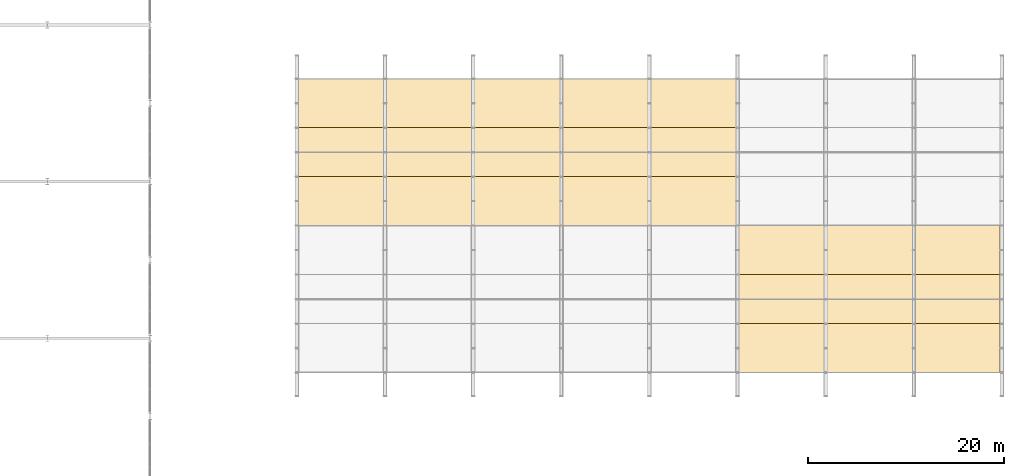
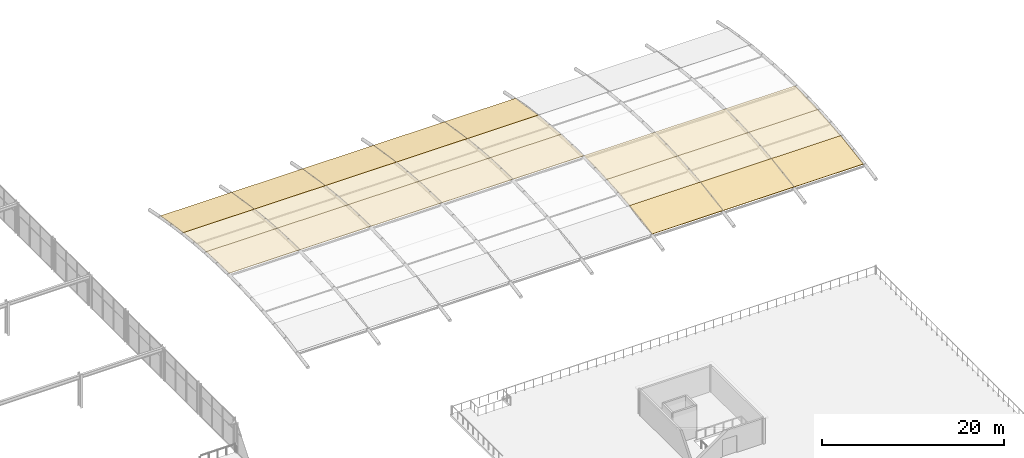
# One storey, part 102 of 105: 24 coverings.
"""IFC4 building model written with IfcOpenShell, lengths in metres."""

from ifc_helpers import new_model, si_unit, direction, frame, origin, place, context, subcontext, project, spatial, polyline, outline, extrude, material, layer, layer_set, type_object, element, save


model = new_model("IFC4")

# Units and contexts
model_context = context("Model", 3, precision=1e-05, world=origin(), true_north=direction((0.0, 1.0)))
body_context = subcontext(model_context, "Body", "Model", "MODEL_VIEW")
ifc_project = project(units=[si_unit("LENGTHUNIT", "METRE"), si_unit("AREAUNIT", "SQUARE_METRE"), si_unit("VOLUMEUNIT", "CUBIC_METRE"), si_unit("PLANEANGLEUNIT", "RADIAN"), si_unit("MASSUNIT", "GRAM", prefix="KILO")], contexts=[model_context])

# Site, building, storey
site_placement = place(None, origin())
site = spatial("IfcSite", under=ifc_project, at=site_placement, CompositionType="ELEMENT")
building_placement = place(site_placement, origin())
building = spatial("IfcBuilding", under=site, at=building_placement, Name="Marlcrest Central Station", CompositionType="ELEMENT")
storey_placement = place(building_placement, frame((0.0, 0.0, 15.0)))
storey = spatial("IfcBuildingStorey", under=building, at=storey_placement, Name="L03", CompositionType="ELEMENT", Elevation=15.0)

# Coverings
ifc_material_1 = material(Name="Standing-seam marine-coated aluminium roofing", Category="aluminium")
ifc_layer_1 = layer(ifc_material_1, 0.06494140625, Name="CV-RF2")
ifc_layer_set_1 = layer_set([ifc_layer_1], Name="Standing-seam marine-coated aluminium roofing")
covering_type_1 = type_object("IfcCoveringType", Name="CV-RF2", PredefinedType="ROOFING", material=ifc_layer_set_1)
for number, where, z_axis, x_axis, name in (
    (1, (144.0, 76.0, 1.37939453125), (0.0, 0.153293462578, 0.98818070935), (1.0, 0.0, 0.0), "cov-shed-0126"),
    (2, (153.0, 76.0, 1.37939453125), (0.0, 0.153293462578, 0.98818070935), (1.0, 0.0, 0.0), "cov-shed-0140"),
    (3, (162.0, 76.0, 1.37939453125), (0.0, 0.153293462578, 0.98818070935), (1.0, 0.0, 0.0), "cov-shed-0154"),
    (4, (171.0, 76.0, 1.37939453125), (0.0, 0.153293462578, 0.98818070935), (1.0, 0.0, 0.0), "cov-shed-0168"),
    (5, (180.0, 76.0, 1.37939453125), (0.0, 0.153293462578, 0.98818070935), (1.0, 0.0, 0.0), "cov-shed-0182"),
    (6, (189.0, 51.0, 0.603759765625), (0.0, -0.153293462578, 0.98818070935), (1.0, 0.0, 0.0), "cov-shed-0191"),
    (7, (198.0, 51.0, 0.603759765625), (0.0, -0.153293462578, 0.98818070935), (1.0, 0.0, 0.0), "cov-shed-0205"),
):
    element("IfcCovering", number, at=place(storey_placement, frame(where, z_axis=z_axis, x_axis=x_axis)), inside=storey, type_object=covering_type_1, Name=name, PredefinedType="ROOFING", context=body_context, shape_type="SweptSolid", body=[
        extrude(outline(polyline([(0.0, 0.0), (9.0, 0.0), (9.0, 5.059803285666958), (0.0, 5.059803285666958), (0.0, 0.0)])), origin(), (0.0, 0.0, -1.0), 0.06494140625),
    ])
covering_1_placement = place(storey_placement, frame((207.0, 51.0, 0.603759765625), z_axis=(0.0, -0.153293462578, 0.98818070935), x_axis=(1.0, 0.0, 0.0)))
element("IfcCovering", 8, at=covering_1_placement, inside=storey, type_object=covering_type_1, Name="cov-shed-0219", PredefinedType="ROOFING", context=body_context, shape_type="SweptSolid", body=[
    extrude(outline(polyline([(0.0, 0.0), (8.780029296875, 0.0), (8.780029296875, 5.059803285666958), (0.0, 5.059803285666958), (0.0, 0.0)])), origin(), (0.0, 0.0, -1.0), 0.06494140625),
])
ifc_material_2 = material(Name="Translucent GRP barrel crown roof panel")
ifc_layer_2 = layer(ifc_material_2, 0.054931640625, Name="CV-SK1")
ifc_layer_set_2 = layer_set([ifc_layer_2], Name="Translucent GRP barrel crown roof panel")
covering_type_2 = type_object("IfcCoveringType", Name="CV-SK1", PredefinedType="ROOFING", material=ifc_layer_set_2)
covering_2_placement = place(storey_placement, frame((144.0, 66.0, 2.0), z_axis=(0.0, 0.030990966165, 0.999519664647), x_axis=(1.0, 0.0, 0.0)))
element("IfcCovering", 9, at=covering_2_placement, inside=storey, type_object=covering_type_2, Name="cov-shed-0124", PredefinedType="ROOFING", context=body_context, shape_type="SweptSolid", body=[
    extrude(outline(polyline([(0.0, 0.0), (9.0, 0.0), (9.0, 5.0024028309293085), (0.0, 5.0024028309293085), (0.0, 0.0)])), origin(), (0.0, 0.0, -1.0), 0.054931640625),
])
covering_3_placement = place(storey_placement, frame((144.0, 71.0, 1.844970703125), z_axis=(0.0, 0.092714165239, 0.995692765648), x_axis=(1.0, 0.0, 0.0)))
element("IfcCovering", 10, at=covering_3_placement, inside=storey, type_object=covering_type_2, Name="cov-shed-0125", PredefinedType="ROOFING", context=body_context, shape_type="SweptSolid", body=[
    extrude(outline(polyline([(0.0, 0.0), (9.0, 0.0), (9.0, 5.0216293343712435), (0.0, 5.0216293343712435), (0.0, 0.0)])), origin(), (0.0, 0.0, -1.0), 0.054931640625),
])
covering_4_placement = place(storey_placement, frame((153.0, 66.0, 2.0), z_axis=(0.0, 0.030990966165, 0.999519664647), x_axis=(1.0, 0.0, 0.0)))
element("IfcCovering", 11, at=covering_4_placement, inside=storey, type_object=covering_type_2, Name="cov-shed-0138", PredefinedType="ROOFING", context=body_context, shape_type="SweptSolid", body=[
    extrude(outline(polyline([(0.0, 0.0), (9.0, 0.0), (9.0, 5.0024028309293085), (0.0, 5.0024028309293085), (0.0, 0.0)])), origin(), (0.0, 0.0, -1.0), 0.054931640625),
])
covering_5_placement = place(storey_placement, frame((153.0, 71.0, 1.844970703125), z_axis=(0.0, 0.092714165239, 0.995692765648), x_axis=(1.0, 0.0, 0.0)))
element("IfcCovering", 12, at=covering_5_placement, inside=storey, type_object=covering_type_2, Name="cov-shed-0139", PredefinedType="ROOFING", context=body_context, shape_type="SweptSolid", body=[
    extrude(outline(polyline([(0.0, 0.0), (9.0, 0.0), (9.0, 5.0216293343712435), (0.0, 5.0216293343712435), (0.0, 0.0)])), origin(), (0.0, 0.0, -1.0), 0.054931640625),
])
covering_6_placement = place(storey_placement, frame((162.0, 66.0, 2.0), z_axis=(0.0, 0.030990966165, 0.999519664647), x_axis=(1.0, 0.0, 0.0)))
element("IfcCovering", 13, at=covering_6_placement, inside=storey, type_object=covering_type_2, Name="cov-shed-0152", PredefinedType="ROOFING", context=body_context, shape_type="SweptSolid", body=[
    extrude(outline(polyline([(0.0, 0.0), (9.0, 0.0), (9.0, 5.0024028309293085), (0.0, 5.0024028309293085), (0.0, 0.0)])), origin(), (0.0, 0.0, -1.0), 0.054931640625),
])
covering_7_placement = place(storey_placement, frame((162.0, 71.0, 1.844970703125), z_axis=(0.0, 0.092714165239, 0.995692765648), x_axis=(1.0, 0.0, 0.0)))
element("IfcCovering", 14, at=covering_7_placement, inside=storey, type_object=covering_type_2, Name="cov-shed-0153", PredefinedType="ROOFING", context=body_context, shape_type="SweptSolid", body=[
    extrude(outline(polyline([(0.0, 0.0), (9.0, 0.0), (9.0, 5.0216293343712435), (0.0, 5.0216293343712435), (0.0, 0.0)])), origin(), (0.0, 0.0, -1.0), 0.054931640625),
])
covering_8_placement = place(storey_placement, frame((171.0, 66.0, 2.0), z_axis=(0.0, 0.030990966165, 0.999519664647), x_axis=(1.0, 0.0, 0.0)))
element("IfcCovering", 15, at=covering_8_placement, inside=storey, type_object=covering_type_2, Name="cov-shed-0166", PredefinedType="ROOFING", context=body_context, shape_type="SweptSolid", body=[
    extrude(outline(polyline([(0.0, 0.0), (9.0, 0.0), (9.0, 5.0024028309293085), (0.0, 5.0024028309293085), (0.0, 0.0)])), origin(), (0.0, 0.0, -1.0), 0.054931640625),
])
covering_9_placement = place(storey_placement, frame((171.0, 71.0, 1.844970703125), z_axis=(0.0, 0.092714165239, 0.995692765648), x_axis=(1.0, 0.0, 0.0)))
element("IfcCovering", 16, at=covering_9_placement, inside=storey, type_object=covering_type_2, Name="cov-shed-0167", PredefinedType="ROOFING", context=body_context, shape_type="SweptSolid", body=[
    extrude(outline(polyline([(0.0, 0.0), (9.0, 0.0), (9.0, 5.0216293343712435), (0.0, 5.0216293343712435), (0.0, 0.0)])), origin(), (0.0, 0.0, -1.0), 0.054931640625),
])
covering_10_placement = place(storey_placement, frame((180.0, 66.0, 2.0), z_axis=(0.0, 0.030990966165, 0.999519664647), x_axis=(1.0, 0.0, 0.0)))
element("IfcCovering", 17, at=covering_10_placement, inside=storey, type_object=covering_type_2, Name="cov-shed-0180", PredefinedType="ROOFING", context=body_context, shape_type="SweptSolid", body=[
    extrude(outline(polyline([(0.0, 0.0), (9.0, 0.0), (9.0, 5.0024028309293085), (0.0, 5.0024028309293085), (0.0, 0.0)])), origin(), (0.0, 0.0, -1.0), 0.054931640625),
])
for number, where, z_axis, x_axis, name in (
    (18, (180.0, 71.0, 1.844970703125), (0.0, 0.092714165239, 0.995692765648), (1.0, 0.0, 0.0), "cov-shed-0181"),
    (19, (189.0, 56.0, 1.37939453125), (0.0, -0.092714165239, 0.995692765648), (1.0, 0.0, 0.0), "cov-shed-0192"),
):
    element("IfcCovering", number, at=place(storey_placement, frame(where, z_axis=z_axis, x_axis=x_axis)), inside=storey, type_object=covering_type_2, Name=name, PredefinedType="ROOFING", context=body_context, shape_type="SweptSolid", body=[
        extrude(outline(polyline([(0.0, 0.0), (9.0, 0.0), (9.0, 5.0216293343712435), (0.0, 5.0216293343712435), (0.0, 0.0)])), origin(), (0.0, 0.0, -1.0), 0.054931640625),
    ])
covering_11_placement = place(storey_placement, frame((189.0, 61.0, 1.844970703125), z_axis=(0.0, -0.030990966165, 0.999519664647), x_axis=(1.0, 0.0, 0.0)))
element("IfcCovering", 20, at=covering_11_placement, inside=storey, type_object=covering_type_2, Name="cov-shed-0193", PredefinedType="ROOFING", context=body_context, shape_type="SweptSolid", body=[
    extrude(outline(polyline([(0.0, 0.0), (9.0, 0.0), (9.0, 5.0024028309293085), (0.0, 5.0024028309293085), (0.0, 0.0)])), origin(), (0.0, 0.0, -1.0), 0.054931640625),
])
covering_12_placement = place(storey_placement, frame((198.0, 56.0, 1.37939453125), z_axis=(0.0, -0.092714165239, 0.995692765648), x_axis=(1.0, 0.0, 0.0)))
element("IfcCovering", 21, at=covering_12_placement, inside=storey, type_object=covering_type_2, Name="cov-shed-0206", PredefinedType="ROOFING", context=body_context, shape_type="SweptSolid", body=[
    extrude(outline(polyline([(0.0, 0.0), (9.0, 0.0), (9.0, 5.0216293343712435), (0.0, 5.0216293343712435), (0.0, 0.0)])), origin(), (0.0, 0.0, -1.0), 0.054931640625),
])
covering_13_placement = place(storey_placement, frame((198.0, 61.0, 1.844970703125), z_axis=(0.0, -0.030990966165, 0.999519664647), x_axis=(1.0, 0.0, 0.0)))
element("IfcCovering", 22, at=covering_13_placement, inside=storey, type_object=covering_type_2, Name="cov-shed-0207", PredefinedType="ROOFING", context=body_context, shape_type="SweptSolid", body=[
    extrude(outline(polyline([(0.0, 0.0), (9.0, 0.0), (9.0, 5.0024028309293085), (0.0, 5.0024028309293085), (0.0, 0.0)])), origin(), (0.0, 0.0, -1.0), 0.054931640625),
])
covering_14_placement = place(storey_placement, frame((207.0, 56.0, 1.37939453125), z_axis=(0.0, -0.092714165239, 0.995692765648), x_axis=(1.0, 0.0, 0.0)))
element("IfcCovering", 23, at=covering_14_placement, inside=storey, type_object=covering_type_2, Name="cov-shed-0220", PredefinedType="ROOFING", context=body_context, shape_type="SweptSolid", body=[
    extrude(outline(polyline([(0.0, 0.0), (8.780029296875, 0.0), (8.780029296875, 5.0216293343712435), (0.0, 5.0216293343712435), (0.0, 0.0)])), origin(), (0.0, 0.0, -1.0), 0.054931640625),
])
covering_15_placement = place(storey_placement, frame((207.0, 61.0, 1.844970703125), z_axis=(0.0, -0.030990966165, 0.999519664647), x_axis=(1.0, 0.0, 0.0)))
element("IfcCovering", 24, at=covering_15_placement, inside=storey, type_object=covering_type_2, Name="cov-shed-0221", PredefinedType="ROOFING", context=body_context, shape_type="SweptSolid", body=[
    extrude(outline(polyline([(0.0, 0.0), (8.780029296875, 0.0), (8.780029296875, 5.002402830929308), (0.0, 5.002402830929308), (0.0, 0.0)])), origin(), (0.0, 0.0, -1.0), 0.054931640625),
])

save(model, "model.ifc")
